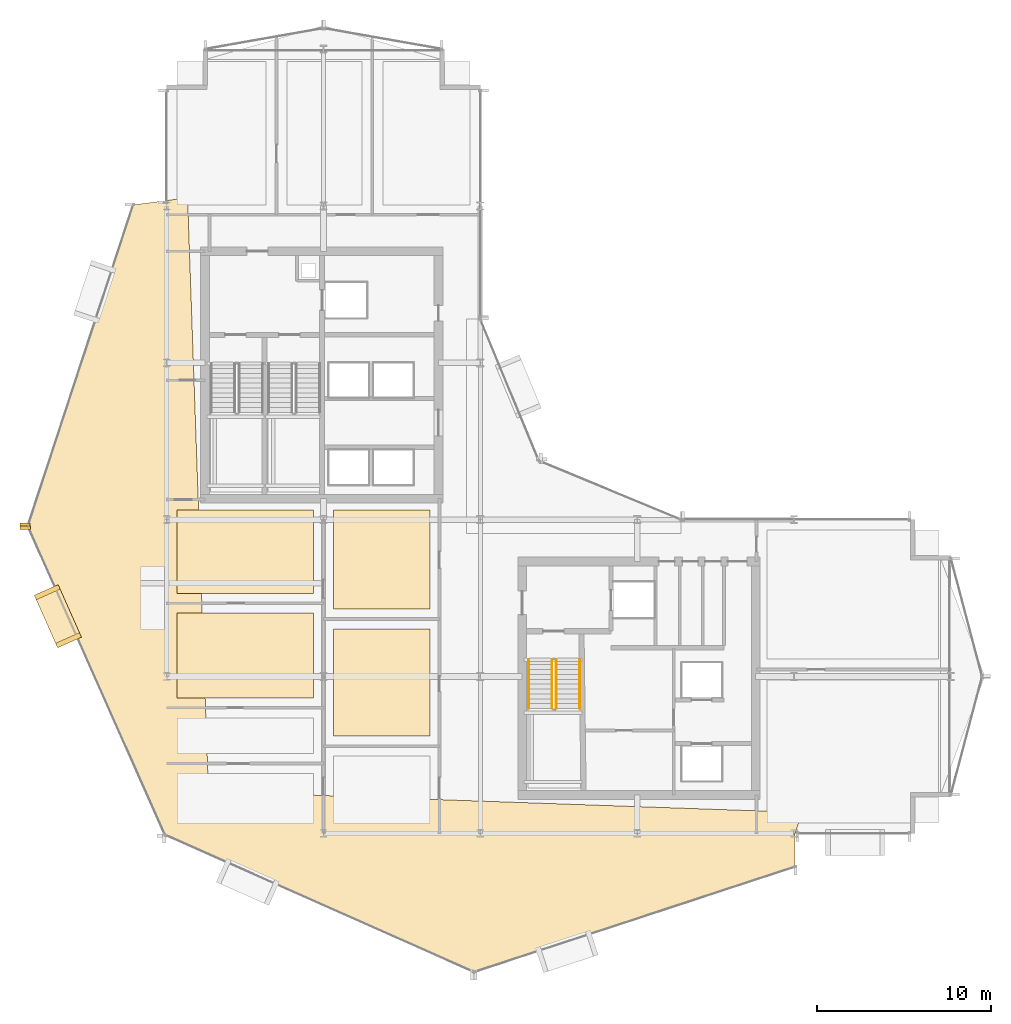
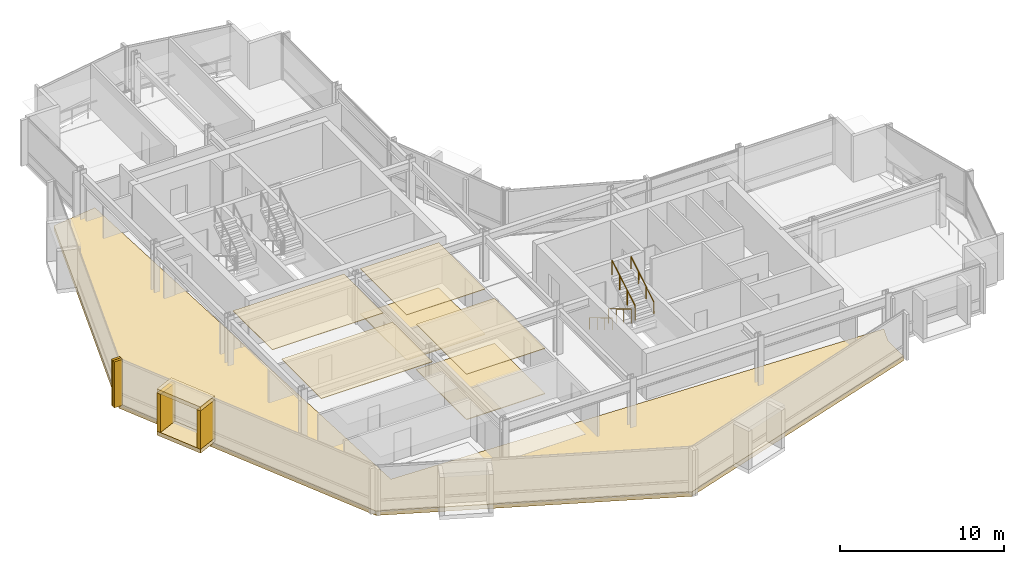
# One storey, part 25 of 28: 13 coverings, 4 railings.
"""IFC4 building model written with IfcOpenShell, lengths in metres."""

from ifc_helpers import new_model, si_unit, direction, frame, origin, origin_2d, place, context, subcontext, project, spatial, polyline, rectangle, circle, outline, extrude, material, layer, layer_set, type_object, element, save


model = new_model("IFC4")

# Units and contexts
model_context = context("Model", 3, precision=1e-05, world=origin(), true_north=direction((0.0, 1.0)))
body_context = subcontext(model_context, "Body", "Model", "MODEL_VIEW")
ifc_project = project(units=[si_unit("LENGTHUNIT", "METRE"), si_unit("AREAUNIT", "SQUARE_METRE"), si_unit("VOLUMEUNIT", "CUBIC_METRE"), si_unit("PLANEANGLEUNIT", "RADIAN"), si_unit("MASSUNIT", "GRAM", prefix="KILO")], contexts=[model_context])

# Site, building, storey
site_placement = place(None, origin())
site = spatial("IfcSite", under=ifc_project, at=site_placement, CompositionType="ELEMENT")
building_placement = place(site_placement, origin())
building = spatial("IfcBuilding", under=site, at=building_placement, Name="Solvaryn Broadcast Tower", CompositionType="ELEMENT")
storey_placement = place(building_placement, frame((0.0, 0.0, 132.199951171875)))
storey = spatial("IfcBuildingStorey", under=building, at=storey_placement, Name="L32", CompositionType="ELEMENT", Elevation=132.199951171875)

# Coverings
ifc_material_1 = material(Name="Micro-Perforated Acoustic Gypsum Ceiling", Category="concrete")
ifc_layer_1 = layer(ifc_material_1, 0.0400390625)
ifc_layer_set_1 = layer_set([ifc_layer_1], Name="CV-CEIL-ACOUSTIC")
covering_type_1 = type_object("IfcCoveringType", Name="CV-CEIL-ACOUSTIC", PredefinedType="CEILING", material=ifc_layer_set_1)
covering_1_placement = place(storey_placement, frame((0.0, 0.0, 3.380126953125)))
element("IfcCovering", 1, at=covering_1_placement, inside=storey, type_object=covering_type_1, Name="L32 Room Acoustic Ceiling 2", PredefinedType="CEILING", context=body_context, shape_type="SweptSolid", body=[
    extrude(outline(polyline([(18.570068359375, 14.570068359375), (24.10009765625, 14.570068359375), (24.10009765625, 20.72998046875), (18.570068359375, 20.72998046875), (18.570068359375, 14.570068359375)])), origin(), (0.0, 0.0, 1.0), 0.0400390625),
])
covering_2_placement = place(storey_placement, frame((0.0, 0.0, 3.380126953125)))
element("IfcCovering", 2, at=covering_2_placement, inside=storey, type_object=covering_type_1, Name="L32 Room Acoustic Ceiling 3", PredefinedType="CEILING", context=body_context, shape_type="SweptSolid", body=[
    extrude(outline(polyline([(18.570068359375, 21.8701171875), (24.10009765625, 21.8701171875), (24.10009765625, 27.56005859375), (18.570068359375, 27.56005859375), (18.570068359375, 21.8701171875)])), origin(), (0.0, 0.0, 1.0), 0.0400390625),
])
covering_3_placement = place(storey_placement, frame((0.0, 0.0, 3.380126953125)))
element("IfcCovering", 3, at=covering_3_placement, inside=storey, type_object=covering_type_1, Name="L32 Room Acoustic Ceiling 6", PredefinedType="CEILING", context=body_context, shape_type="SweptSolid", body=[
    extrude(outline(polyline([(9.60009765625, 16.77001953125), (17.429931640625, 16.77001953125), (17.429931640625, 21.6298828125), (9.60009765625, 21.6298828125), (9.60009765625, 16.77001953125)])), origin(), (0.0, 0.0, 1.0), 0.0400390625),
])
covering_4_placement = place(storey_placement, frame((0.0, 0.0, 3.380126953125)))
element("IfcCovering", 4, at=covering_4_placement, inside=storey, type_object=covering_type_1, Name="L32 Room Acoustic Ceiling 7", PredefinedType="CEILING", context=body_context, shape_type="SweptSolid", body=[
    extrude(outline(polyline([(9.60009765625, 22.77001953125), (17.429931640625, 22.77001953125), (17.429931640625, 27.56005859375), (9.60009765625, 27.56005859375), (9.60009765625, 22.77001953125)])), origin(), (0.0, 0.0, 1.0), 0.0400390625),
])
ifc_material_2 = material(Name="Newsroom Raised Data Access Flooring", Category="steel")
ifc_layer_2 = layer(ifc_material_2, 0.050048828125)
ifc_layer_set_2 = layer_set([ifc_layer_2], Name="CV-FLOOR-RAISED")
covering_type_2 = type_object("IfcCoveringType", Name="CV-FLOOR-RAISED", PredefinedType="FLOORING", material=ifc_layer_set_2)
covering_5_placement = place(storey_placement, origin())
element("IfcCovering", 5, at=covering_5_placement, inside=storey, type_object=covering_type_2, Name="L32 Room Acoustic Floor Finish 2", PredefinedType="FLOORING", context=body_context, shape_type="SweptSolid", body=[
    extrude(outline(polyline([(18.570068359375, 14.570068359375), (24.10009765625, 14.570068359375), (24.10009765625, 20.72998046875), (18.570068359375, 20.72998046875), (18.570068359375, 14.570068359375)])), origin(), (0.0, 0.0, 1.0), 0.050048828125),
])
covering_6_placement = place(storey_placement, origin())
element("IfcCovering", 6, at=covering_6_placement, inside=storey, type_object=covering_type_2, Name="L32 Room Acoustic Floor Finish 3", PredefinedType="FLOORING", context=body_context, shape_type="SweptSolid", body=[
    extrude(outline(polyline([(18.570068359375, 21.8701171875), (24.10009765625, 21.8701171875), (24.10009765625, 27.56005859375), (18.570068359375, 27.56005859375), (18.570068359375, 21.8701171875)])), origin(), (0.0, 0.0, 1.0), 0.050048828125),
])
ifc_material_3 = material(Name="Glazed Architectural Terracotta Rainscreen Cladding", Category="masonry")
ifc_layer_3 = layer(ifc_material_3, 0.280029296875)
ifc_layer_set_3 = layer_set([ifc_layer_3], Name="CV-TC-CLAD")
covering_type_3 = type_object("IfcCoveringType", Name="CV-TC-CLAD", PredefinedType="CLADDING", material=ifc_layer_set_3)
for number, where, z_axis, x_axis, name in (
    (7, (2.75390625, 21.45703125, 3.1298828125), (0.0, 0.0, 1.0), (0.405939269498, -0.913900054426, 0.0), "L32 Projecting Stone Window Box Hood 2"),
    (8, (2.75390625, 21.45703125, -0.009765625), (0.0, 0.0, 1.0), (0.405939269498, -0.913900054426, 0.0), "L32 Projecting Stone Window Box Sill 2"),
):
    element("IfcCovering", number, at=place(storey_placement, frame(where, z_axis=z_axis, x_axis=x_axis)), inside=storey, type_object=covering_type_3, Name=name, PredefinedType="CLADDING", context=body_context, shape_type="SweptSolid", body=[
        extrude(rectangle(XDim=3.300048828125, YDim=1.5, at=origin_2d()), origin(), (0.0, 0.0, 1.0), 0.300048828125),
    ])
for number, where, z_axis, x_axis, name in (
    (9, (2.14111328125, 22.8369140625, 0.27978515625), (0.0, 0.0, 1.0), (0.405939269498, -0.913900054426, 0.0), "L32 Projecting Stone Window Box Cheek 2-1"),
    (10, (3.366943359375, 20.076904296875, 0.27978515625), (0.0, 0.0, 1.0), (0.405939269498, -0.913900054426, 0.0), "L32 Projecting Stone Window Box Cheek 2-2"),
):
    element("IfcCovering", number, at=place(storey_placement, frame(where, z_axis=z_axis, x_axis=x_axis)), inside=storey, type_object=covering_type_3, Name=name, PredefinedType="CLADDING", context=body_context, shape_type="SweptSolid", body=[
        extrude(rectangle(XDim=0.280029296875, YDim=1.5, at=origin_2d()), origin(), (0.0, 0.0, 1.0), 2.860107421875),
    ])
ifc_material_4 = material(Name="Extruded Architectural Terracotta Fin", Category="masonry")
ifc_layer_4 = layer(ifc_material_4, 0.179931640625)
ifc_layer_set_4 = layer_set([ifc_layer_4], Name="CV-TC-FIN")
covering_type_4 = type_object("IfcCoveringType", Name="CV-TC-FIN", PredefinedType="USERDEFINED", material=ifc_layer_set_4)
for number, where, z_axis, x_axis, name in (
    (11, (0.872314453125, 26.720703125, 0.0), (0.0, 0.0, 1.0), (1.0, 0.0, 0.0), "L32 Terracotta Vertical Fin FIN-L32-DR1-M01"),
    (12, (0.8818359375, 26.535888671875, 0.0), (0.0, 0.0, 1.0), (1.0, 0.0, 0.0), "L32 Terracotta Vertical Fin FIN-L32-DR2-M00"),
):
    element("IfcCovering", number, at=place(storey_placement, frame(where, z_axis=z_axis, x_axis=x_axis)), inside=storey, type_object=covering_type_4, Name=name, ObjectType="FIN", PredefinedType="USERDEFINED", context=body_context, shape_type="SweptSolid", body=[
        extrude(rectangle(XDim=0.580078125, YDim=0.179931640625, at=origin_2d()), origin(), (0.0, 0.0, 1.0), 3.419921875),
    ])
ifc_material_5 = material(Name="Sculpted Architectural Terracotta Wave Fascia", Category="masonry")
ifc_layer_5 = layer(ifc_material_5, 0.340087890625)
ifc_layer_set_5 = layer_set([ifc_layer_5], Name="CV-WAVE-TRAY")
covering_type_5 = type_object("IfcCoveringType", Name="CV-WAVE-TRAY", PredefinedType="CLADDING", material=ifc_layer_set_5)
covering_7_placement = place(storey_placement, frame((0.0, 0.0, -0.300048828125)))
element("IfcCovering", 13, at=covering_7_placement, inside=storey, type_object=covering_type_5, Name="L32 Stepped Cylindrical Drum Floor Apron", PredefinedType="CLADDING", context=body_context, shape_type="SweptSolid", body=[
    extrude(outline(polyline([(10.199951171875, 45.467041015625), (7.0791015625, 45.06689453125), (1.033935546875, 26.635986328125), (8.907958984375, 8.907958984375), (26.635986328125, 1.033935546875), (45.06689453125, 7.0791015625), (45.06689453125, 9.0), (45.467041015625, 10.199951171875), (11.39990234375, 11.39990234375), (10.199951171875, 45.467041015625)])), origin(), (0.0, 0.0, 1.0), 0.330078125),
])

# Railings
ifc_material_6 = material(Name="Painted Steel Stair Well Guard", Category="steel")
railing_type_1 = type_object("IfcRailingType", Name="RL-STAIR-GUARD", PredefinedType="BALUSTRADE", material=ifc_material_6)
railing_1_placement = place(storey_placement, frame((31.110107421875, 18.9599609375, 0.168212890625)))
element("IfcRailing", 14, at=railing_1_placement, inside=storey, type_object=railing_type_1, Name="L32 ST3 stair guard 1", PredefinedType="BALUSTRADE", context=body_context, shape_type="SweptSolid", body=[
    extrude(circle(Radius=0.02392578125, at=origin_2d()), frame((0.0, 0.0, 1.076171875), z_axis=(0.0, -0.857242210791, 0.514913383045), x_axis=(1.0, 0.0, 0.0)), (0.0, 0.0, 1.0), 3.266357421875),
    extrude(circle(Radius=0.02099609375, at=origin_2d()), origin(), (0.0, 0.0, 1.0), 1.052001953125),
    extrude(circle(Radius=0.02099609375, at=origin_2d()), frame((0.0, -0.933349609375, 0.560546875)), (0.0, 0.0, 1.0), 1.052001953125),
    extrude(circle(Radius=0.02099609375, at=origin_2d()), frame((0.0, -1.86669921875, 1.121337890625)), (0.0, 0.0, 1.0), 1.052001953125),
    extrude(circle(Radius=0.02099609375, at=origin_2d()), frame((0.0, -2.800048828125, 1.681884765625)), (0.0, 0.0, 1.0), 1.052001953125),
])
railing_2_placement = place(storey_placement, frame((31.360107421875, 16.159912109375, 2.018310546875)))
element("IfcRailing", 15, at=railing_2_placement, inside=storey, type_object=railing_type_1, Name="L32 ST3 stair guard 3", PredefinedType="BALUSTRADE", context=body_context, shape_type="SweptSolid", body=[
    extrude(circle(Radius=0.02392578125, at=origin_2d()), frame((0.0, 0.0, 1.076171875), z_axis=(0.0, 0.857275202839, 0.514858452973), x_axis=(-1.0, 0.0, 0.0)), (0.0, 0.0, 1.0), 3.26611328125),
    extrude(circle(Radius=0.02099609375, at=origin_2d()), origin(), (0.0, 0.0, 1.0), 1.052001953125),
    extrude(circle(Radius=0.02099609375, at=origin_2d()), frame((0.0, 0.933349609375, 0.560546875)), (0.0, 0.0, 1.0), 1.052001953125),
    extrude(circle(Radius=0.02099609375, at=origin_2d()), frame((0.0, 1.86669921875, 1.12109375)), (0.0, 0.0, 1.0), 1.052001953125),
    extrude(circle(Radius=0.02099609375, at=origin_2d()), frame((0.0, 2.800048828125, 1.681640625)), (0.0, 0.0, 1.0), 1.052001953125),
])
ifc_material_7 = material(Name="Brushed Stainless Steel Tubular Handrail", Category="steel")
railing_type_2 = type_object("IfcRailingType", Name="RL-STAIR-HANDRAIL", PredefinedType="HANDRAIL", material=ifc_material_7)
railing_3_placement = place(storey_placement, frame((29.77001953125, 18.9599609375, 0.168212890625)))
element("IfcRailing", 16, at=railing_3_placement, inside=storey, type_object=railing_type_2, Name="L32 ST3 stair handrail 1", PredefinedType="HANDRAIL", context=body_context, shape_type="SweptSolid", body=[
    extrude(circle(Radius=0.02392578125, at=origin_2d()), frame((0.0, 0.0, 0.8759765625), z_axis=(0.0, -0.857242210791, 0.514913383045), x_axis=(1.0, 0.0, 0.0)), (0.0, 0.0, 1.0), 3.266357421875),
    extrude(circle(Radius=0.02099609375, at=origin_2d()), origin(), (0.0, 0.0, 1.0), 0.851806640625),
    extrude(circle(Radius=0.02099609375, at=origin_2d()), frame((0.0, -0.933349609375, 0.560546875)), (0.0, 0.0, 1.0), 0.851806640625),
    extrude(circle(Radius=0.02099609375, at=origin_2d()), frame((0.0, -1.86669921875, 1.121337890625)), (0.0, 0.0, 1.0), 0.851806640625),
    extrude(circle(Radius=0.02099609375, at=origin_2d()), frame((0.0, -2.800048828125, 1.681884765625)), (0.0, 0.0, 1.0), 0.851806640625),
])
railing_4_placement = place(storey_placement, frame((32.699951171875, 16.159912109375, 2.018310546875)))
element("IfcRailing", 17, at=railing_4_placement, inside=storey, type_object=railing_type_2, Name="L32 ST3 stair handrail 2", PredefinedType="HANDRAIL", context=body_context, shape_type="SweptSolid", body=[
    extrude(circle(Radius=0.02392578125, at=origin_2d()), frame((0.0, 0.0, 0.8759765625), z_axis=(0.0, 0.857275202839, 0.514858452973), x_axis=(-1.0, 0.0, 0.0)), (0.0, 0.0, 1.0), 3.26611328125),
    extrude(circle(Radius=0.02099609375, at=origin_2d()), origin(), (0.0, 0.0, 1.0), 0.851806640625),
    extrude(circle(Radius=0.02099609375, at=origin_2d()), frame((0.0, 0.933349609375, 0.560546875)), (0.0, 0.0, 1.0), 0.851806640625),
    extrude(circle(Radius=0.02099609375, at=origin_2d()), frame((0.0, 1.86669921875, 1.12109375)), (0.0, 0.0, 1.0), 0.851806640625),
    extrude(circle(Radius=0.02099609375, at=origin_2d()), frame((0.0, 2.800048828125, 1.681640625)), (0.0, 0.0, 1.0), 0.851806640625),
])

save(model, "model.ifc")
